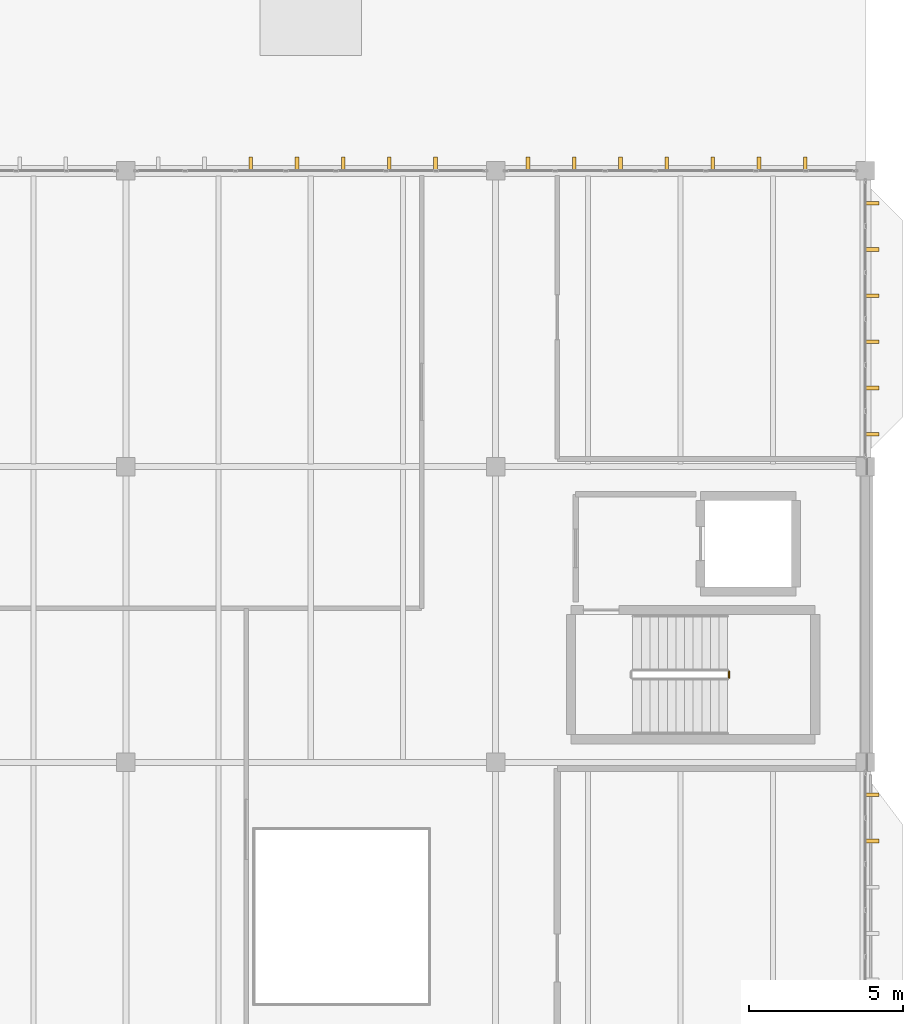
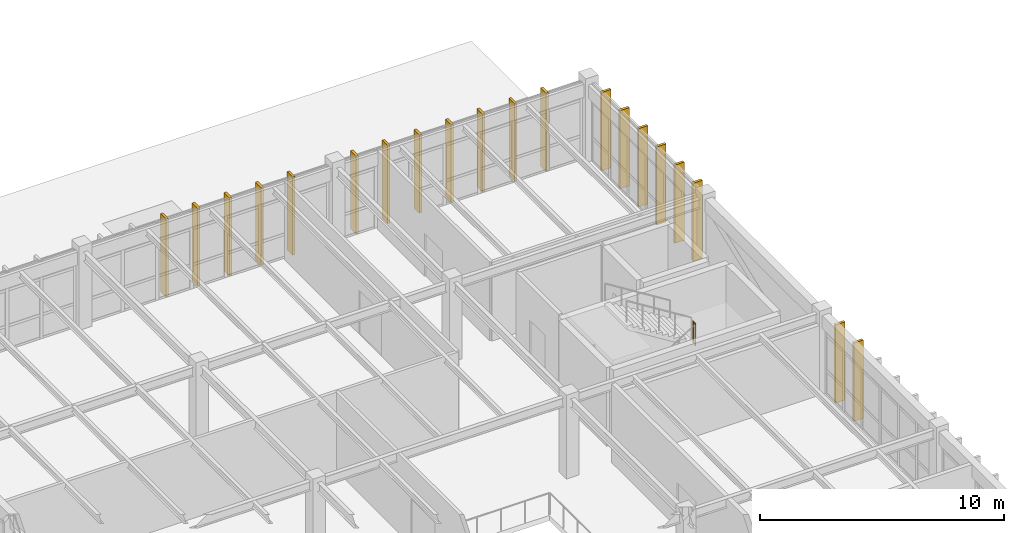
# One storey, part 82 of 83: 20 shading devices, 1 railing.
"""IFC4 building model written with IfcOpenShell, lengths in metres."""

from ifc_helpers import new_model, si_unit, direction, frame, origin, origin_2d, place, context, subcontext, project, spatial, rectangle, circle, extrude, material, type_object, element, save


model = new_model("IFC4")

# Units and contexts
model_context = context("Model", 3, precision=1e-05, world=origin(), true_north=direction((0.0, 1.0)))
body_context = subcontext(model_context, "Body", "Model", "MODEL_VIEW")
ifc_project = project(units=[si_unit("LENGTHUNIT", "METRE"), si_unit("AREAUNIT", "SQUARE_METRE"), si_unit("VOLUMEUNIT", "CUBIC_METRE"), si_unit("PLANEANGLEUNIT", "RADIAN"), si_unit("MASSUNIT", "GRAM", prefix="KILO")], contexts=[model_context])

# Site, building, storey
site_placement = place(None, origin())
site = spatial("IfcSite", under=ifc_project, at=site_placement, CompositionType="ELEMENT")
building_placement = place(site_placement, origin())
building = spatial("IfcBuilding", under=site, at=building_placement, Name="Pandanus Reach Market Hall", CompositionType="ELEMENT")
storey_placement = place(building_placement, frame((0.0, 0.0, 10.199951171875)))
storey = spatial("IfcBuildingStorey", under=building, at=storey_placement, Name="L02", CompositionType="ELEMENT", Elevation=10.199951171875)

# Shading devices
ifc_material_1 = material(Name="Precast concrete S50 (50 MPa)", Category="concrete")
shading_device_type = type_object("IfcShadingDeviceType", Name="FN-S50-450", PredefinedType="JALOUSIE", material=ifc_material_1)
for number, where, z_axis, x_axis, name in (
    (1, (160.050048828125, 86.6201171875, -0.010009765625), (0.0, 0.0, 1.0), (0.0, 1.0, 0.0), "Precast brise-soleil fin 432"),
    (2, (161.550048828125, 86.6201171875, -0.010009765625), (0.0, 0.0, 1.0), (0.0, 1.0, 0.0), "Precast brise-soleil fin 433"),
    (3, (163.050048828125, 86.6201171875, -0.010009765625), (0.0, 0.0, 1.0), (0.0, 1.0, 0.0), "Precast brise-soleil fin 434"),
    (4, (164.550048828125, 86.6201171875, -0.010009765625), (0.0, 0.0, 1.0), (0.0, 1.0, 0.0), "Precast brise-soleil fin 435"),
    (5, (166.050048828125, 86.6201171875, -0.010009765625), (0.0, 0.0, 1.0), (0.0, 1.0, 0.0), "Precast brise-soleil fin 436"),
    (6, (169.050048828125, 86.6201171875, -0.010009765625), (0.0, 0.0, 1.0), (0.0, 1.0, 0.0), "Precast brise-soleil fin 437"),
    (7, (170.550048828125, 86.6201171875, -0.010009765625), (0.0, 0.0, 1.0), (0.0, 1.0, 0.0), "Precast brise-soleil fin 438"),
    (8, (172.050048828125, 86.6201171875, -0.010009765625), (0.0, 0.0, 1.0), (0.0, 1.0, 0.0), "Precast brise-soleil fin 439"),
    (9, (173.550048828125, 86.6201171875, -0.010009765625), (0.0, 0.0, 1.0), (0.0, 1.0, 0.0), "Precast brise-soleil fin 440"),
    (10, (175.050048828125, 86.6201171875, -0.010009765625), (0.0, 0.0, 1.0), (0.0, 1.0, 0.0), "Precast brise-soleil fin 441"),
    (11, (176.550048828125, 86.6201171875, -0.010009765625), (0.0, 0.0, 1.0), (0.0, 1.0, 0.0), "Precast brise-soleil fin 442"),
    (12, (178.050048828125, 86.6201171875, -0.010009765625), (0.0, 0.0, 1.0), (0.0, 1.0, 0.0), "Precast brise-soleil fin 443"),
    (13, (180.219970703125, 64.64990234375, -0.010009765625), (0.0, 0.0, 1.0), (1.0, 0.0, 0.0), "Precast brise-soleil fin 460"),
    (14, (180.219970703125, 66.14990234375, -0.010009765625), (0.0, 0.0, 1.0), (1.0, 0.0, 0.0), "Precast brise-soleil fin 461"),
    (15, (180.219970703125, 77.85009765625, -0.010009765625), (0.0, 0.0, 1.0), (1.0, 0.0, 0.0), "Precast brise-soleil fin 462"),
    (16, (180.219970703125, 79.35009765625, -0.010009765625), (0.0, 0.0, 1.0), (1.0, 0.0, 0.0), "Precast brise-soleil fin 463"),
    (17, (180.219970703125, 80.85009765625, -0.010009765625), (0.0, 0.0, 1.0), (1.0, 0.0, 0.0), "Precast brise-soleil fin 464"),
    (18, (180.219970703125, 82.35009765625, -0.010009765625), (0.0, 0.0, 1.0), (1.0, 0.0, 0.0), "Precast brise-soleil fin 465"),
    (19, (180.219970703125, 83.85009765625, -0.010009765625), (0.0, 0.0, 1.0), (1.0, 0.0, 0.0), "Precast brise-soleil fin 466"),
    (20, (180.219970703125, 85.35009765625, -0.010009765625), (0.0, 0.0, 1.0), (1.0, 0.0, 0.0), "Precast brise-soleil fin 467"),
):
    element("IfcShadingDevice", number, at=place(storey_placement, frame(where, z_axis=z_axis, x_axis=x_axis)), inside=storey, type_object=shading_device_type, Name=name, PredefinedType="JALOUSIE", context=body_context, shape_type="SweptSolid", body=[
        extrude(rectangle(XDim=0.449951171875, YDim=0.1201171875, at=origin_2d()), origin(), (0.0, 0.0, 1.0), 3.919921875),
    ])

# Railing
ifc_material_2 = material(Name="Galvanised steel Grade 350 (350 MPa)", Category="steel")
railing_type = type_object("IfcRailingType", Name="GR-INT-110", PredefinedType="GUARDRAIL", material=ifc_material_2)
railing_placement = place(storey_placement, frame((175.580078125, 69.949951171875, 2.10009765625)))
element("IfcRailing", 21, at=railing_placement, inside=storey, type_object=railing_type, Name="Stair guard ST-02 L02.51", PredefinedType="GUARDRAIL", context=body_context, shape_type="SweptSolid", body=[
    extrude(circle(Radius=0.02392578125, at=origin_2d()), frame((0.0, 0.0, 1.076171875), z_axis=(0.0, 1.0, 0.0), x_axis=(-1.0, 0.0, 0.0)), (0.0, 0.0, 1.0), 0.199951171875),
    extrude(circle(Radius=0.02099609375, at=origin_2d()), origin(), (0.0, 0.0, 1.0), 1.052001953125),
    extrude(circle(Radius=0.02099609375, at=origin_2d()), frame((0.0, 0.199951171875, 0.0)), (0.0, 0.0, 1.0), 1.052001953125),
])

save(model, "model.ifc")
